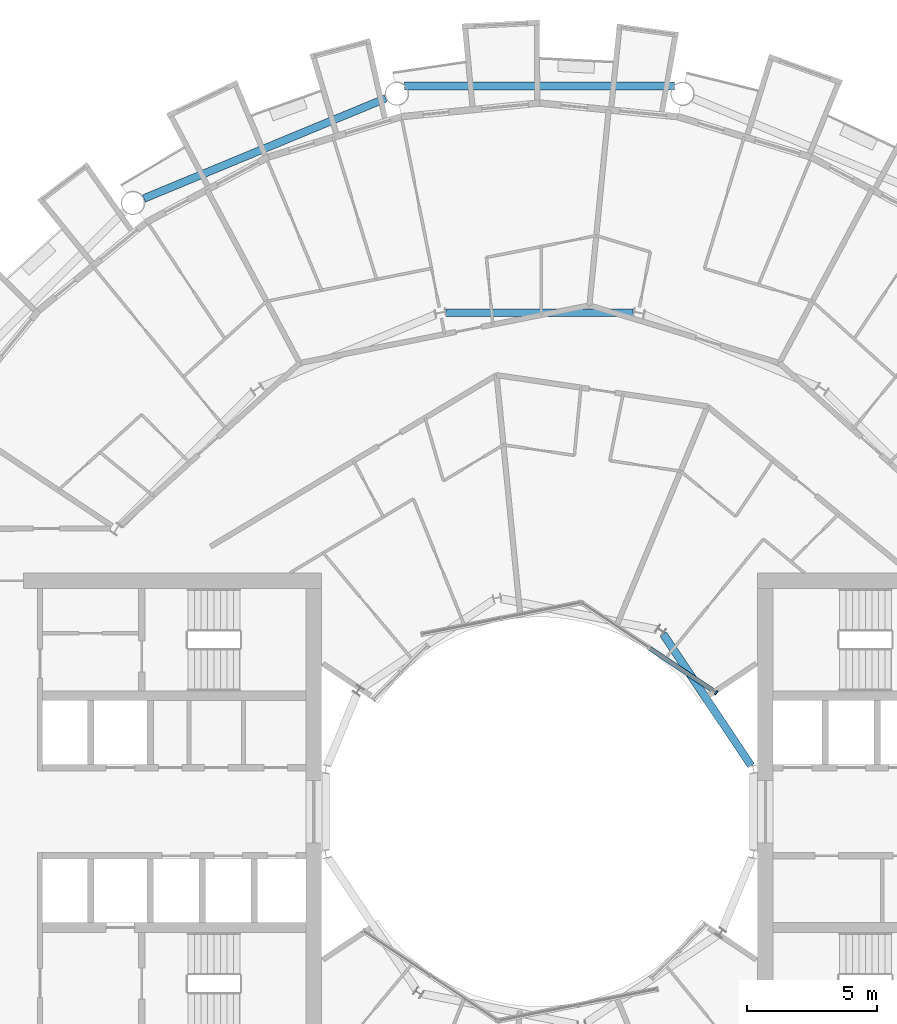
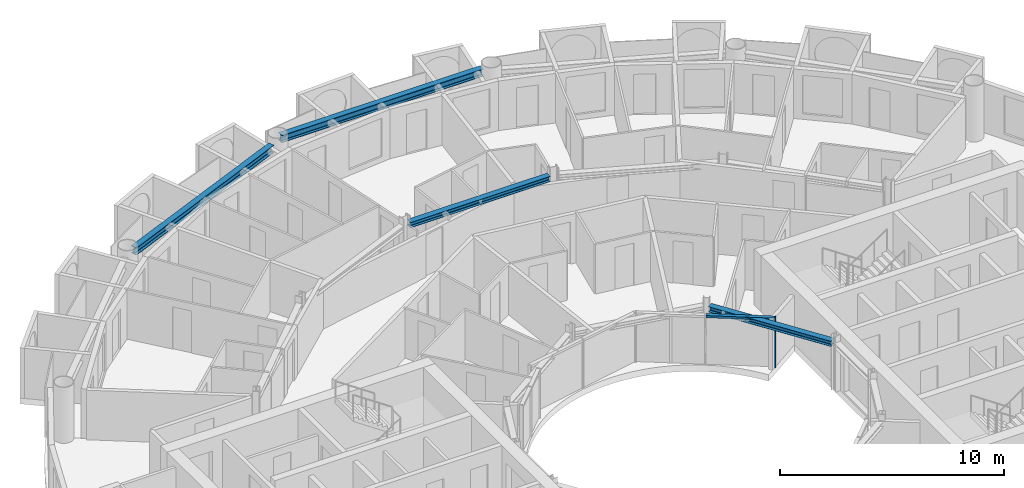
# One storey, part 9 of 28: 4 beams, 2 members, 1 element without a shape of its own.
"""IFC4 building model written with IfcOpenShell, lengths in metres."""

from ifc_helpers import new_model, si_unit, direction, frame, origin, origin_2d, place, context, subcontext, project, spatial, rectangle, i_section, extrude, material, layer, layer_set, material_profile, profile_set, type_object, element, aggregate, save


model = new_model("IFC4")

# Units and contexts
model_context = context("Model", 3, precision=1e-05, world=origin(), true_north=direction((0.0, 1.0)))
body_context = subcontext(model_context, "Body", "Model", "MODEL_VIEW")
ifc_project = project(units=[si_unit("LENGTHUNIT", "METRE"), si_unit("AREAUNIT", "SQUARE_METRE"), si_unit("VOLUMEUNIT", "CUBIC_METRE"), si_unit("PLANEANGLEUNIT", "RADIAN"), si_unit("MASSUNIT", "GRAM", prefix="KILO")], contexts=[model_context])

# Site, building, storey
site_placement = place(None, origin())
site = spatial("IfcSite", under=ifc_project, at=site_placement, CompositionType="ELEMENT")
building_placement = place(site_placement, origin())
building = spatial("IfcBuilding", under=site, at=building_placement, Name="Maasbend Ring Residences", CompositionType="ELEMENT")
storey_placement = place(building_placement, frame((0.0, 0.0, 133.0)))
storey = spatial("IfcBuildingStorey", under=building, at=storey_placement, Name="L38", CompositionType="ELEMENT", Elevation=133.0)

# Curtain wall, members
ifc_material_1 = material(Name="Aluminium and clear glass", Category="aluminium")
ifc_layer = layer(ifc_material_1, 0.179931640625)
ifc_layer_set = layer_set([ifc_layer], Name="CW-W")
curtain_wall_type = type_object("IfcCurtainWallType", Name="CW-W", PredefinedType="NOTDEFINED", material=ifc_layer_set)
curtain_wall_placement = place(storey_placement, origin())
curtain_wall = element("IfcCurtainWall", 1, at=curtain_wall_placement, inside=storey, type_object=curtain_wall_type, Name="Well curtain wall N1", PredefinedType="NOTDEFINED")
ifc_material_2 = material(Name="Aluminium 6063-T6", Category="aluminium")
ifc_material_profile_1 = material_profile(ifc_material_2, rectangle(XDim=0.179931640625, YDim=0.06005859375, at=origin_2d()), Name="AL 180x60")
ifc_profile_set_1 = profile_set([ifc_material_profile_1], Name="Aluminium 6063-T6")
member_type_1 = type_object("IfcMemberType", Name="CWM-W", PredefinedType="MULLION", material=ifc_profile_set_1)
member_1_placement = place(storey_placement, frame((6.805908203125, 4.580810546875, 0.0), z_axis=(0.0, 0.0, 1.0), x_axis=(-0.55557023302, -0.831469612303, 0.0)))
member_1 = element("IfcMember", 2, at=member_1_placement, type_object=member_type_1, Name="Mullion well face", PredefinedType="MULLION", context=body_context, shape_type="SweptSolid", body=[
    extrude(rectangle(XDim=0.179931640625, YDim=0.06005859375, at=origin_2d()), origin(), (0.0, 0.0, 1.0), 2.699951171875),
])
ifc_material_3 = material(Name="Aluminium 6063-T6", Category="aluminium")
ifc_material_profile_2 = material_profile(ifc_material_3, rectangle(XDim=0.179931640625, YDim=0.1201171875, at=origin_2d()), Name="AL 180x120")
ifc_profile_set_2 = profile_set([ifc_material_profile_2], Name="Aluminium 6063-T6")
member_type_2 = type_object("IfcMemberType", Name="CWT-W", PredefinedType="USERDEFINED", material=ifc_profile_set_2)
member_2_placement = place(storey_placement, frame((6.781005859375, 4.59765625, 2.639892578125), z_axis=(-0.831496422459, 0.555530106689, 0.0), x_axis=(-0.555530106689, -0.831496422459, 0.0)))
member_2 = element("IfcMember", 3, at=member_2_placement, type_object=member_type_2, Name="Transom well face", ObjectType="TRANSOM", PredefinedType="USERDEFINED", context=body_context, shape_type="SweptSolid", body=[
    extrude(rectangle(XDim=0.179931640625, YDim=0.1201171875, at=origin_2d()), origin(), (0.0, 0.0, 1.0), 3.053955078125),
])
aggregate(curtain_wall, [member_1, member_2])

# Beams
ifc_material_4 = material(Name="Steel S355J2", Category="steel")
ifc_material_profile_3 = material_profile(ifc_material_4, i_section(OverallWidth=0.300048828125, OverallDepth=0.2900390625, WebThickness=0.008544921875, FlangeThickness=0.013916015625, FilletRadius=0.027099609375, at=origin_2d()), Name="HEA 300")
ifc_profile_set_3 = profile_set([ifc_material_profile_3], Name="Steel S355J2")
beam_type_1 = type_object("IfcBeamType", Name="Corridor ring beam HEA 300", PredefinedType="BEAM", material=ifc_profile_set_3)
beam_1_placement = place(storey_placement, frame((3.603515625, 19.223388671875, 2.554931640625), z_axis=(-1.0, 0.0, 0.0), x_axis=(0.0, -1.0, 0.0)))
element("IfcBeam", 4, at=beam_1_placement, inside=storey, type_object=beam_type_1, Name="Corridor ring beam", PredefinedType="BEAM", context=body_context, shape_type="SweptSolid", body=[
    extrude(i_section(OverallWidth=0.300048828125, OverallDepth=0.2900390625, WebThickness=0.008544921875, FlangeThickness=0.013916015625, FilletRadius=0.027099609375, at=origin_2d()), origin(), (0.0, 0.0, 1.0), 7.20703125),
])
ifc_material_5 = material(Name="Steel S355J2", Category="steel")
ifc_material_profile_4 = material_profile(ifc_material_5, i_section(OverallWidth=0.300048828125, OverallDepth=0.39990234375, WebThickness=0.013427734375, FlangeThickness=0.02392578125, FilletRadius=0.027099609375, at=origin_2d()), Name="HEB 400")
ifc_profile_set_4 = profile_set([ifc_material_profile_4], Name="Steel S355J2")
beam_type_2 = type_object("IfcBeamType", Name="Spandrel ring beam HEB 400", PredefinedType="SPANDREL", material=ifc_profile_set_4)
beam_2_placement = place(storey_placement, frame((5.194580078125, 27.9580078125, 2.5), z_axis=(-1.0, 0.0, 0.0), x_axis=(0.0, -1.0, 0.0)))
element("IfcBeam", 5, at=beam_2_placement, inside=storey, type_object=beam_type_2, Name="Spandrel ring beam", PredefinedType="SPANDREL", context=body_context, shape_type="SweptSolid", body=[
    extrude(i_section(OverallWidth=0.300048828125, OverallDepth=0.39990234375, WebThickness=0.013427734375, FlangeThickness=0.02392578125, FilletRadius=0.027099609375, at=origin_2d()), origin(), (0.0, 0.0, 1.0), 10.38916015625),
])
beam_3_placement = place(storey_placement, frame((-5.923583984375, 27.483154296875, 2.5), z_axis=(-0.92388529709, -0.382669515144, 0.0), x_axis=(0.382669515144, -0.92388529709, 0.0)))
element("IfcBeam", 6, at=beam_3_placement, inside=storey, type_object=beam_type_2, Name="Spandrel ring beam", PredefinedType="SPANDREL", context=body_context, shape_type="SweptSolid", body=[
    extrude(i_section(OverallWidth=0.300048828125, OverallDepth=0.39990234375, WebThickness=0.013427734375, FlangeThickness=0.02392578125, FilletRadius=0.027099609375, at=origin_2d()), origin(), (0.0, 0.0, 1.0), 10.089111328125),
])
ifc_material_6 = material(Name="Steel S355J2", Category="steel")
ifc_material_profile_5 = material_profile(ifc_material_6, i_section(OverallWidth=0.300048828125, OverallDepth=0.2900390625, WebThickness=0.008544921875, FlangeThickness=0.013916015625, FilletRadius=0.027099609375, at=origin_2d()), Name="HEA 300")
ifc_profile_set_5 = profile_set([ifc_material_profile_5], Name="Steel S355J2")
beam_type_3 = type_object("IfcBeamType", Name="Well edge beam HEA 300", PredefinedType="BEAM", material=ifc_profile_set_5)
beam_4_placement = place(storey_placement, frame((8.1484375, 1.773681640625, 2.554931640625), z_axis=(-0.555558236289, 0.831477628137, 0.0), x_axis=(-0.831477628137, -0.555558236289, 0.0)))
element("IfcBeam", 7, at=beam_4_placement, inside=storey, type_object=beam_type_3, Name="Well edge beam", PredefinedType="BEAM", context=body_context, shape_type="SweptSolid", body=[
    extrude(i_section(OverallWidth=0.300048828125, OverallDepth=0.2900390625, WebThickness=0.008544921875, FlangeThickness=0.013916015625, FilletRadius=0.027099609375, at=origin_2d()), origin(), (0.0, 0.0, 1.0), 6.1044921875),
])

save(model, "model.ifc")
